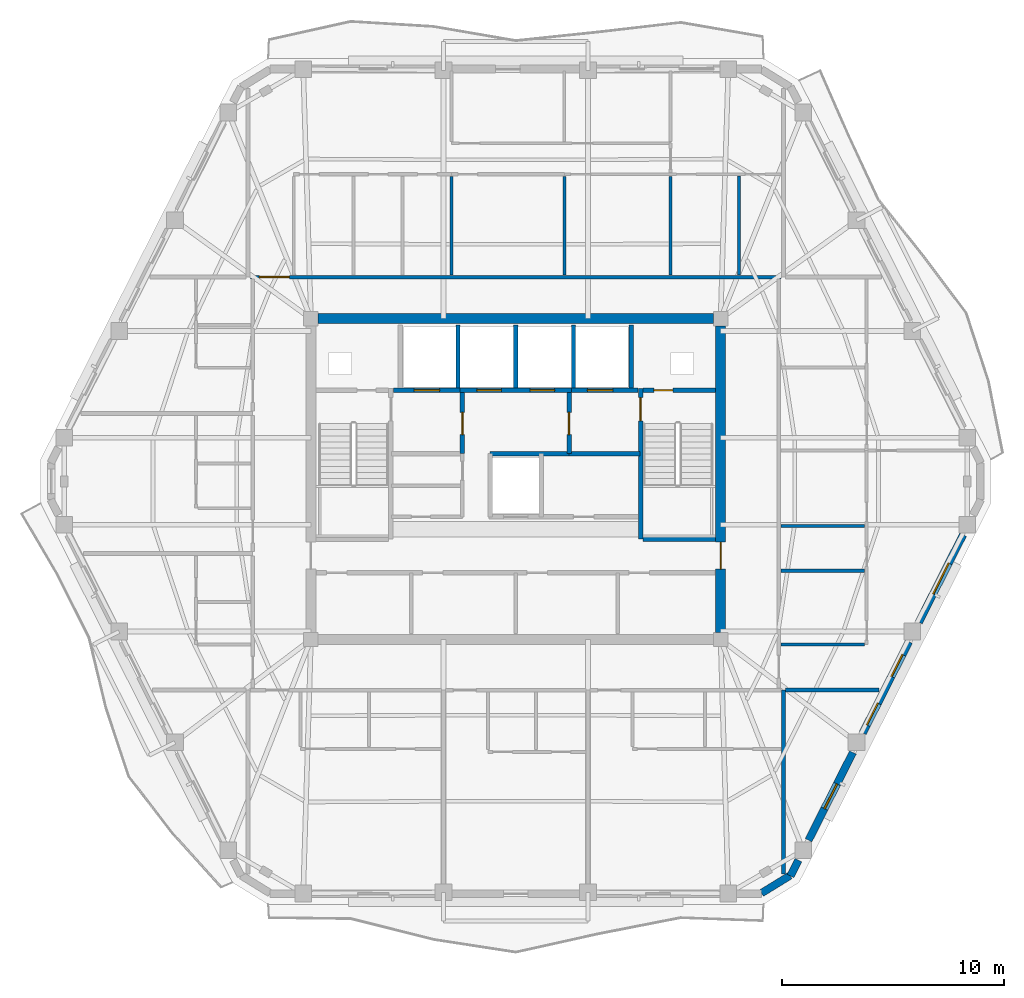
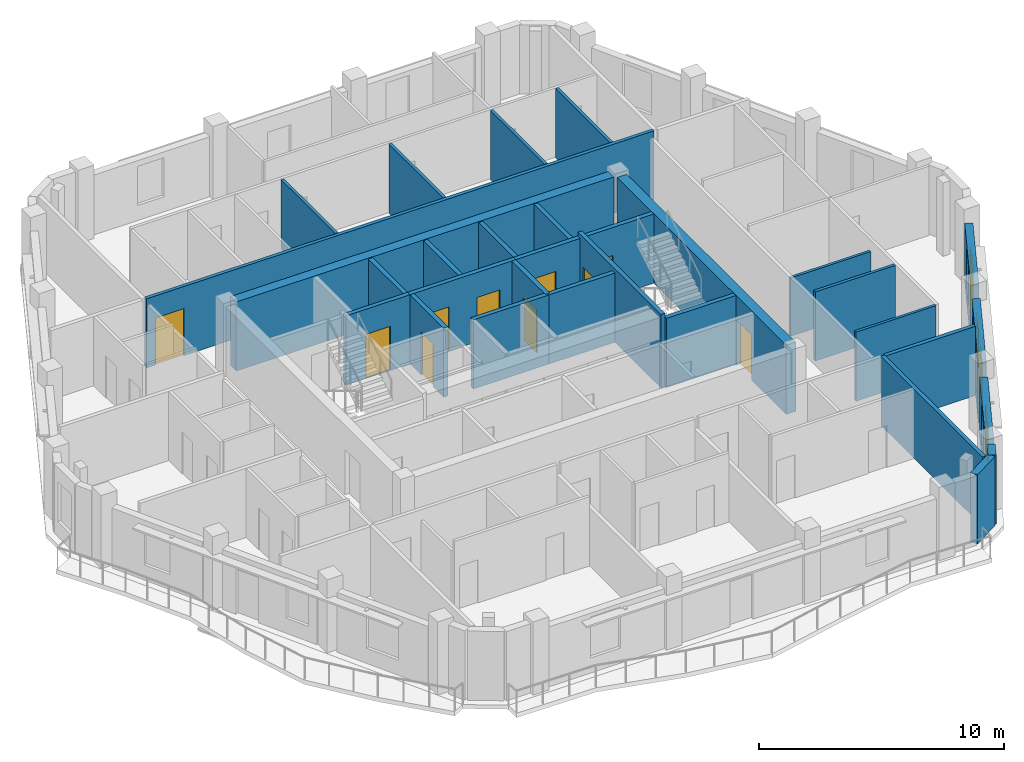
# One storey, part 6 of 11: 31 walls, 10 doors, 4 windows, 14 openings.
"""IFC4 building model written with IfcOpenShell, lengths in metres."""

import ifcopenshell
import ifcopenshell.guid

model = None  # the IFC model being written
_history = None  # IfcOwnerHistory: only IFC2X3 demands one
_inside = {}  # id of a spatial element -> (the spatial element, [elements in it])
_under = {}  # id of a project, library or spatial element -> (it, [spatial elements below it])
_declared = {}  # id of a project -> (the project, [libraries it declares])
_typed = {}  # id of a type object -> (the type object, [elements of that type])
_made_of = {}  # id of a material, layer set ... -> (it, [elements and type objects made of it])


def new_model(schema):
    """Start an empty IFC model of exactly this schema.

    Asked for "IFC4X3", IfcOpenShell would pick the latest addendum, in which some entities
    have other attributes; the version numbers below select the first issue.
    IFC2X3 requires an IfcOwnerHistory on every rooted entity: one is made here for all.
    """
    global model, _history
    if schema == "IFC4X3":
        model = ifcopenshell.file(schema_version=(4, 3, 0, 0))
    else:
        model = ifcopenshell.file(schema=schema)
    _inside.clear()
    _under.clear()
    _declared.clear()
    _typed.clear()
    _made_of.clear()
    _history = None
    if model.schema == "IFC2X3":
        org = make("IfcOrganization", Name="unknown")
        user = make(
            "IfcPersonAndOrganization",
            ThePerson=make("IfcPerson", FamilyName="unknown"),
            TheOrganization=org,
        )
        app = make(
            "IfcApplication",
            ApplicationDeveloper=org,
            Version="unknown",
            ApplicationFullName="unknown",
            ApplicationIdentifier="unknown",
        )
        _history = make(
            "IfcOwnerHistory",
            OwningUser=user,
            OwningApplication=app,
            ChangeAction="ADDED",
            CreationDate=0,
        )
    return model


def make(cls, **values):
    """One entity of the class cls with the attributes given. An attribute that is None is left unset."""
    return model.create_entity(
        cls, **{name: value for name, value in values.items() if value is not None}
    )


def rooted(cls, **values):
    """An entity with a GlobalId (a new one), such as an element, a storey or a relation."""
    return make(cls, GlobalId=ifcopenshell.guid.new(), OwnerHistory=_history, **values)


def si_unit(unit_type, name, prefix=None):
    """IfcSIUnit, for example si_unit("LENGTHUNIT", "METRE", prefix="MILLI")."""
    return make("IfcSIUnit", UnitType=unit_type, Prefix=prefix, Name=name)


def assignment(units):
    """IfcUnitAssignment: the units of a project."""
    return None if units is None else make("IfcUnitAssignment", Units=units)


def point(xyz):
    """IfcCartesianPoint."""
    return None if xyz is None else make("IfcCartesianPoint", Coordinates=xyz)


def direction(xyz):
    """IfcDirection."""
    return None if xyz is None else make("IfcDirection", DirectionRatios=xyz)


def frame(location, z_axis=None, x_axis=None):
    """IfcAxis2Placement3D, a coordinate frame: its origin and axes. An axis left out is left unset."""
    return make(
        "IfcAxis2Placement3D",
        Location=point(location),
        Axis=direction(z_axis),
        RefDirection=direction(x_axis),
    )


def frame_2d(location, x_axis=None):
    """IfcAxis2Placement2D, a coordinate frame in the plane: its origin and x axis."""
    return make(
        "IfcAxis2Placement2D", Location=point(location), RefDirection=direction(x_axis)
    )


def origin():
    """The frame at (0, 0, 0) with its axes left unset."""
    return frame((0.0, 0.0, 0.0))


def place(relative_to, where):
    """IfcLocalPlacement: puts the frame where relative to a parent placement (None: the world)."""
    return make(
        "IfcLocalPlacement", PlacementRelTo=relative_to, RelativePlacement=where
    )


def context(
    kind, dimensions, precision=None, world=None, true_north=None, identifier=None
):
    """IfcGeometricRepresentationContext, for example the 3D "Model" context."""
    return make(
        "IfcGeometricRepresentationContext",
        ContextIdentifier=identifier,
        ContextType=kind,
        CoordinateSpaceDimension=dimensions,
        Precision=precision,
        WorldCoordinateSystem=world,
        TrueNorth=true_north,
    )


def subcontext(parent, identifier, kind, view, scale=None):
    """IfcGeometricRepresentationSubContext, for example "Body" below "Model"."""
    return make(
        "IfcGeometricRepresentationSubContext",
        ContextIdentifier=identifier,
        ContextType=kind,
        ParentContext=parent,
        TargetScale=scale,
        TargetView=view,
    )


def project(units=None, contexts=None):
    """IfcProject with its units and contexts."""
    return rooted(
        "IfcProject",
        Name="project",
        RepresentationContexts=contexts,
        UnitsInContext=assignment(units),
    )


def spatial(cls, under=None, at=None, **own):
    """A site, building, storey or space (cls), placed at a placement, below another one or the project."""
    s = rooted(cls, ObjectPlacement=at, **own)
    if under is not None:
        _under.setdefault(under.id(), (under, []))[1].append(s)
    return s


def profile(cls, at=None, kind="AREA", **sizes):
    """A parametric profile (cls). Its sizes go by their IFC names, for example OverallWidth=200.0."""
    return make(cls, ProfileType=kind, Position=at, **sizes)


def rectangle(**sizes):
    """IfcRectangleProfileDef."""
    return profile("IfcRectangleProfileDef", **sizes)


def extrude(swept, where, along, depth):
    """IfcExtrudedAreaSolid: the profile swept, set in the frame where, extruded along a direction by depth."""
    return make(
        "IfcExtrudedAreaSolid",
        SweptArea=swept,
        Position=where,
        ExtrudedDirection=direction(along),
        Depth=depth,
    )


def shape(context_of_items, identifier, shape_type, items):
    """IfcShapeRepresentation: the items that make up one representation, for example the "Body"."""
    return make(
        "IfcShapeRepresentation",
        ContextOfItems=context_of_items,
        RepresentationIdentifier=identifier,
        RepresentationType=shape_type,
        Items=items,
    )


def material(Name=None, Category=None):
    """IfcMaterial."""
    return make("IfcMaterial", Name=Name, Category=Category)


def layer(
    of_material, thickness, ventilated=None, Name=None, Category=None, Priority=None
):
    """IfcMaterialLayer: one layer of a wall or slab, of a material (None: an air gap)."""
    return make(
        "IfcMaterialLayer",
        Material=of_material,
        LayerThickness=thickness,
        IsVentilated=ventilated,
        Name=Name,
        Category=Category,
        Priority=Priority,
    )


def layer_set(layers, Name=None):
    """IfcMaterialLayerSet."""
    return make("IfcMaterialLayerSet", MaterialLayers=layers, LayerSetName=Name)


def made_of(thing, what):
    """Note that an element or type object is made of a material, layer set ...; save() writes the relation."""
    if what is not None:
        _made_of.setdefault(what.id(), (what, []))[1].append(thing)
    return thing


def type_object(cls, material=None, **own):
    """A type object (cls), such as IfcWallType, which elements share."""
    return made_of(rooted(cls, **own), material)


def element(
    cls,
    number,
    at=None,
    inside=None,
    cuts=None,
    type_object=None,
    material=None,
    context=None,
    identifier="Body",
    shape_type=None,
    held_by="IfcProductDefinitionShape",
    body=None,
    shapes=None,
    **own,
):
    """One element of the class cls, such as IfcWall. Its Tag is "e" and its number.

    at: its placement. inside: the storey or other place that contains it. cuts: it is an
    opening in that element (IfcRelVoidsElement). A single representation is given by context,
    identifier, shape_type and body (its items); several are given by shapes. held_by: the class
    of the entity that holds the representations. save() writes the other relations.
    """
    e = rooted(cls, Tag="e%d" % number, ObjectPlacement=at, **own)
    if body is not None:
        shapes = [shape(context, identifier, shape_type, body)]
    if shapes is not None:
        e.Representation = make(held_by, Representations=shapes)
    if inside is not None:
        _inside.setdefault(inside.id(), (inside, []))[1].append(e)
    if cuts is not None:
        rooted(
            "IfcRelVoidsElement", RelatingBuildingElement=cuts, RelatedOpeningElement=e
        )
    if type_object is not None:
        _typed.setdefault(type_object.id(), (type_object, []))[1].append(e)
    return made_of(e, material)


def fill(opening, filler):
    """IfcRelFillsElement: the door or window that sits in an opening."""
    return rooted(
        "IfcRelFillsElement",
        RelatingOpeningElement=opening,
        RelatedBuildingElement=filler,
    )


def aggregate(whole, parts):
    """IfcRelAggregates: a whole, such as a stair, and the parts it consists of."""
    return rooted("IfcRelAggregates", RelatingObject=whole, RelatedObjects=parts)


def save(model, path):
    """Write the relations noted so far, then the file.

    IfcRelAggregates (storeys below a building ...), IfcRelContainedInSpatialStructure (elements
    in a storey), IfcRelDefinesByType, IfcRelAssociatesMaterial and IfcRelDeclares: one each for
    every whole, place, type object, material and project.
    """
    for whole, parts in _under.values():
        aggregate(whole, parts)
    for where, things in _inside.values():
        rooted(
            "IfcRelContainedInSpatialStructure",
            RelatedElements=things,
            RelatingStructure=where,
        )
    for kind, things in _typed.values():
        rooted("IfcRelDefinesByType", RelatedObjects=things, RelatingType=kind)
    for what, things in _made_of.values():
        rooted("IfcRelAssociatesMaterial", RelatedObjects=things, RelatingMaterial=what)
    for by, libraries in _declared.values():
        rooted("IfcRelDeclares", RelatingContext=by, RelatedDefinitions=libraries)
    model.write(path)


model = new_model("IFC4")

# Units and contexts
model_context = context("Model", 3, precision=1e-05, world=origin(), true_north=direction((0.0, 1.0)))
body_context = subcontext(model_context, "Body", "Model", "MODEL_VIEW")
ifc_project = project(units=[si_unit("LENGTHUNIT", "METRE"), si_unit("AREAUNIT", "SQUARE_METRE"), si_unit("VOLUMEUNIT", "CUBIC_METRE"), si_unit("PLANEANGLEUNIT", "RADIAN"), si_unit("MASSUNIT", "GRAM", prefix="KILO")], contexts=[model_context])

# Site, building, storey
site_placement = place(None, origin())
site = spatial("IfcSite", under=ifc_project, at=site_placement, CompositionType="ELEMENT")
building_placement = place(site_placement, origin())
building = spatial("IfcBuilding", under=site, at=building_placement, Name="Cinnabar Lancet Tower", CompositionType="ELEMENT")
storey_placement = place(building_placement, frame((0.0, 0.0, 245.25)))
storey = spatial("IfcBuildingStorey", under=building, at=storey_placement, Name="L65", CompositionType="ELEMENT", Elevation=245.25)

# Wall, opening, door
ifc_material_1 = material(Name="Acoustic twin-stud gypsum partition", Category="gypsum")
ifc_layer_1 = layer(ifc_material_1, 0.159912109375)
ifc_layer_set_1 = layer_set([ifc_layer_1], Name="Acoustic twin-stud gypsum partition")
wall_type_1 = type_object("IfcWallType", Name="ARC-WL-CORR-160", PredefinedType="PARTITIONING", material=ifc_layer_set_1)
wall_1_placement = place(storey_placement, frame((20.445068359375, 35.0, 0.0), z_axis=(0.0, 0.0, 1.0), x_axis=(1.0, 0.0, 0.0)))
wall_1 = element("IfcWall", 1, at=wall_1_placement, inside=storey, type_object=wall_type_1, Name="L65 Unit N01 Corridor Wall", PredefinedType="PARTITIONING", context=body_context, shape_type="SweptSolid", body=[
    extrude(rectangle(XDim=23.909912109375, YDim=0.159912109375, at=frame_2d((11.955078125, 0.0))), origin(), (0.0, 0.0, 1.0), 3.449951171875),
])
opening_1_placement = place(wall_1_placement, frame((0.405029296875, 0.0, 0.0)))
opening_1 = element("IfcOpeningElement", 2, at=opening_1_placement, cuts=wall_1, Name="Opening UD-02", PredefinedType="OPENING", context=body_context, shape_type="SweptSolid", body=[
    extrude(rectangle(XDim=1.35009765625, YDim=2.35009765625, at=frame_2d((0.675048828125, 1.175048828125))), frame((0.0, 0.08984375, 0.0), z_axis=(0.0, -1.0, 0.0), x_axis=(1.0, 0.0, 0.0)), (0.0, 0.0, 1.0), 0.179931640625),
])
ifc_material_2 = material(Name="Double-leaf solid timber penthouse entrance door", Category="wood")
door_type_1 = type_object("IfcDoorType", Name="ARC-DR-UNIT-PH", OperationType="NOTDEFINED", PredefinedType="DOOR", material=ifc_material_2)
door_1_placement = place(opening_1_placement, origin())
door_1 = element("IfcDoor", 3, at=door_1_placement, inside=storey, type_object=door_type_1, Name="DR-L65-N01-ENT", OperationType="SINGLE_SWING_LEFT", OverallHeight=2.35009765625, OverallWidth=1.35009765625, PredefinedType="DOOR", context=body_context, shape_type="SweptSolid", body=[
    extrude(rectangle(XDim=1.35009765625, YDim=2.35009765625, at=frame_2d((0.675048828125, 1.175048828125))), frame((0.0, 0.02490234375, 0.0), z_axis=(0.0, -1.0, 0.0), x_axis=(1.0, 0.0, 0.0)), (0.0, 0.0, 1.0), 0.050048828125),
])
fill(opening_1, door_1)

# Walls
ifc_material_3 = material(Name="Fire-rated twin-frame acoustic drywall", Category="gypsum")
ifc_layer_2 = layer(ifc_material_3, 0.179931640625)
ifc_layer_set_2 = layer_set([ifc_layer_2], Name="Fire-rated twin-frame acoustic drywall")
wall_type_2 = type_object("IfcWallType", Name="ARC-WL-PARTY-180", PredefinedType="PARTITIONING", material=ifc_layer_set_2)
wall_2_placement = place(storey_placement, frame((44.449951171875, 8.118896484375, 0.0), z_axis=(0.0, 0.0, 1.0), x_axis=(0.0, 1.0, 0.0)))
element("IfcWall", 4, at=wall_2_placement, inside=storey, type_object=wall_type_2, Name="PW-L65-SPTY-444", PredefinedType="PARTITIONING", context=body_context, shape_type="SweptSolid", body=[
    extrude(rectangle(XDim=8.281005859375, YDim=0.179931640625, at=frame_2d((4.140625, 0.0))), origin(), (0.0, 0.0, 1.0), 3.449951171875),
])
wall_3_placement = place(storey_placement, frame((44.544921875, 16.39990234375, 0.0), z_axis=(0.0, 0.0, 1.0), x_axis=(1.0, 0.0, 0.0)))
element("IfcWall", 5, at=wall_3_placement, inside=storey, type_object=wall_type_2, Name="PW-L65-ESB", PredefinedType="PARTITIONING", context=body_context, shape_type="SweptSolid", body=[
    extrude(rectangle(XDim=4.22119140625, YDim=0.179931640625, at=frame_2d((2.110595703125, 0.0))), origin(), (0.0, 0.0, 1.0), 3.449951171875),
])
ifc_material_4 = material(Name="Autoclaved aerated concrete blockwork", Category="masonry")
ifc_layer_3 = layer(ifc_material_4, 0.199951171875)
ifc_layer_set_3 = layer_set([ifc_layer_3], Name="Autoclaved aerated concrete blockwork")
wall_type_3 = type_object("IfcWallType", Name="ARC-WL-SHAFT-200", PredefinedType="PLUMBINGWALL", material=ifc_layer_set_3)
wall_4_placement = place(storey_placement, frame((38.125, 23.199951171875, 0.0), z_axis=(0.0, 0.0, 1.0), x_axis=(1.0, 0.0, 0.0)))
element("IfcWall", 6, at=wall_4_placement, inside=storey, type_object=wall_type_3, Name="CW-ST2S-L65", PredefinedType="PLUMBINGWALL", context=body_context, shape_type="SweptSolid", body=[
    extrude(rectangle(XDim=3.27001953125, YDim=0.199951171875, at=frame_2d((1.635009765625, 0.0))), origin(), (0.0, 0.0, 1.0), 3.449951171875),
])

# Wall, opening, door
wall_5_placement = place(storey_placement, frame((26.885009765625, 29.89990234375, 0.0), z_axis=(0.0, 0.0, 1.0), x_axis=(1.0, 0.0, 0.0)))
wall_5 = element("IfcWall", 7, at=wall_5_placement, inside=storey, type_object=wall_type_3, Name="CW-FL1-L65", PredefinedType="PLUMBINGWALL", context=body_context, shape_type="SweptSolid", body=[
    extrude(rectangle(XDim=3.014892578125, YDim=0.199951171875, at=frame_2d((1.50732421875, 0.0))), origin(), (0.0, 0.0, 1.0), 3.449951171875),
])
opening_2_placement = place(wall_5_placement, frame((0.93994140625, 0.0, 0.0)))
opening_2 = element("IfcOpeningElement", 8, at=opening_2_placement, cuts=wall_5, Name="Opening LD-02", PredefinedType="OPENING", context=body_context, shape_type="SweptSolid", body=[
    extrude(rectangle(XDim=1.14990234375, YDim=2.199951171875, at=frame_2d((0.574951171875, 1.10009765625))), frame((0.0, 0.10986328125, 0.0), z_axis=(0.0, -1.0, 0.0), x_axis=(1.0, 0.0, 0.0)), (0.0, 0.0, 1.0), 0.219970703125),
])
ifc_material_5 = material(Name="Fire-rated stainless steel firefighting lift landing door", Category="steel")
door_type_2 = type_object("IfcDoorType", Name="ARC-DR-LD-FIRE", OperationType="NOTDEFINED", PredefinedType="DOOR", material=ifc_material_5)
door_2_placement = place(opening_2_placement, origin())
door_2 = element("IfcDoor", 9, at=door_2_placement, inside=storey, type_object=door_type_2, Name="L65 Firefighting Lift FL-1 Landing Door", OperationType="DOUBLE_DOOR_SLIDING", OverallHeight=2.199951171875, OverallWidth=1.14990234375, PredefinedType="DOOR", context=body_context, shape_type="SweptSolid", body=[
    extrude(rectangle(XDim=1.14990234375, YDim=2.199951171875, at=frame_2d((0.574951171875, 1.10009765625))), frame((0.0, 0.02490234375, 0.0), z_axis=(0.0, -1.0, 0.0), x_axis=(1.0, 0.0, 0.0)), (0.0, 0.0, 1.0), 0.050048828125),
])
fill(opening_2, door_2)

# Wall, openings, doors
wall_6_placement = place(storey_placement, frame((29.89990234375, 29.89990234375, 0.0), z_axis=(0.0, 0.0, 1.0), x_axis=(1.0, 0.0, 0.0)))
wall_6 = element("IfcWall", 10, at=wall_6_placement, inside=storey, type_object=wall_type_3, Name="CW-PL78-L65", PredefinedType="PLUMBINGWALL", context=body_context, shape_type="SweptSolid", body=[
    extrude(rectangle(XDim=5.0, YDim=0.199951171875, at=frame_2d((2.5, 0.0))), origin(), (0.0, 0.0, 1.0), 3.449951171875),
])
opening_3_placement = place(wall_6_placement, frame((0.75, 0.0, 0.0)))
opening_3 = element("IfcOpeningElement", 11, at=opening_3_placement, cuts=wall_6, Name="Opening LD-01", PredefinedType="OPENING", context=body_context, shape_type="SweptSolid", body=[
    extrude(rectangle(XDim=1.10009765625, YDim=2.199951171875, at=frame_2d((0.550048828125, 1.10009765625))), frame((0.0, 0.10986328125, 0.0), z_axis=(0.0, -1.0, 0.0), x_axis=(1.0, 0.0, 0.0)), (0.0, 0.0, 1.0), 0.219970703125),
])
opening_4_placement = place(wall_6_placement, frame((3.14990234375, 0.0, 0.0)))
opening_4 = element("IfcOpeningElement", 12, at=opening_4_placement, cuts=wall_6, Name="Opening LD-01", PredefinedType="OPENING", context=body_context, shape_type="SweptSolid", body=[
    extrude(rectangle(XDim=1.10009765625, YDim=2.199951171875, at=frame_2d((0.550048828125, 1.10009765625))), frame((0.0, 0.10986328125, 0.0), z_axis=(0.0, -1.0, 0.0), x_axis=(1.0, 0.0, 0.0)), (0.0, 0.0, 1.0), 0.219970703125),
])
ifc_material_6 = material(Name="Brushed stainless steel sliding lift door", Category="steel")
door_type_3 = type_object("IfcDoorType", Name="ARC-DR-LD-PASS", OperationType="NOTDEFINED", PredefinedType="DOOR", material=ifc_material_6)
door_3_placement = place(opening_3_placement, origin())
door_3 = element("IfcDoor", 13, at=door_3_placement, inside=storey, type_object=door_type_3, Name="L65 Lift PL-7 Landing Door", OperationType="DOUBLE_DOOR_SLIDING", OverallHeight=2.199951171875, OverallWidth=1.10009765625, PredefinedType="DOOR", context=body_context, shape_type="SweptSolid", body=[
    extrude(rectangle(XDim=1.10009765625, YDim=2.199951171875, at=frame_2d((0.550048828125, 1.10009765625))), frame((0.0, 0.02490234375, 0.0), z_axis=(0.0, -1.0, 0.0), x_axis=(1.0, 0.0, 0.0)), (0.0, 0.0, 1.0), 0.050048828125),
])
fill(opening_3, door_3)
door_4_placement = place(opening_4_placement, origin())
door_4 = element("IfcDoor", 14, at=door_4_placement, inside=storey, type_object=door_type_3, Name="L65 Lift PL-8 Landing Door", OperationType="DOUBLE_DOOR_SLIDING", OverallHeight=2.199951171875, OverallWidth=1.10009765625, PredefinedType="DOOR", context=body_context, shape_type="SweptSolid", body=[
    extrude(rectangle(XDim=1.10009765625, YDim=2.199951171875, at=frame_2d((0.550048828125, 1.10009765625))), frame((0.0, 0.02490234375, 0.0), z_axis=(0.0, -1.0, 0.0), x_axis=(1.0, 0.0, 0.0)), (0.0, 0.0, 1.0), 0.050048828125),
])
fill(opening_4, door_4)

# Wall, opening, door
wall_7_placement = place(storey_placement, frame((34.89990234375, 29.89990234375, 0.0), z_axis=(0.0, 0.0, 1.0), x_axis=(1.0, 0.0, 0.0)))
wall_7 = element("IfcWall", 15, at=wall_7_placement, inside=storey, type_object=wall_type_3, Name="CW-FL2-L65", PredefinedType="PLUMBINGWALL", context=body_context, shape_type="SweptSolid", body=[
    extrude(rectangle(XDim=3.01513671875, YDim=0.199951171875, at=frame_2d((1.507568359375, 0.0))), origin(), (0.0, 0.0, 1.0), 3.449951171875),
])
opening_5_placement = place(wall_7_placement, frame((0.72509765625, 0.0, 0.0)))
opening_5 = element("IfcOpeningElement", 16, at=opening_5_placement, cuts=wall_7, Name="Opening LD-02", PredefinedType="OPENING", context=body_context, shape_type="SweptSolid", body=[
    extrude(rectangle(XDim=1.14990234375, YDim=2.199951171875, at=frame_2d((0.574951171875, 1.10009765625))), frame((0.0, 0.10986328125, 0.0), z_axis=(0.0, -1.0, 0.0), x_axis=(1.0, 0.0, 0.0)), (0.0, 0.0, 1.0), 0.219970703125),
])
door_5_placement = place(opening_5_placement, origin())
door_5 = element("IfcDoor", 17, at=door_5_placement, inside=storey, type_object=door_type_2, Name="L65 Firefighting Lift FL-2 Landing Door", OperationType="DOUBLE_DOOR_SLIDING", OverallHeight=2.199951171875, OverallWidth=1.14990234375, PredefinedType="DOOR", context=body_context, shape_type="SweptSolid", body=[
    extrude(rectangle(XDim=1.14990234375, YDim=2.199951171875, at=frame_2d((0.574951171875, 1.10009765625))), frame((0.0, 0.02490234375, 0.0), z_axis=(0.0, -1.0, 0.0), x_axis=(1.0, 0.0, 0.0)), (0.0, 0.0, 1.0), 0.050048828125),
])
fill(opening_5, door_5)

wall_8_placement = place(storey_placement, frame((38.125, 29.89990234375, 0.0), z_axis=(0.0, 0.0, 1.0), x_axis=(1.0, 0.0, 0.0)))
wall_8 = element("IfcWall", 18, at=wall_8_placement, inside=storey, type_object=wall_type_3, Name="CW-NSH-E-L65", PredefinedType="PLUMBINGWALL", context=body_context, shape_type="SweptSolid", body=[
    extrude(rectangle(XDim=3.27001953125, YDim=0.199951171875, at=frame_2d((1.635009765625, 0.0))), origin(), (0.0, 0.0, 1.0), 3.449951171875),
])
opening_6_placement = place(wall_8_placement, frame((0.5, 0.0, 0.0)))
opening_6 = element("IfcOpeningElement", 19, at=opening_6_placement, cuts=wall_8, Name="Opening PD-02", PredefinedType="OPENING", context=body_context, shape_type="SweptSolid", body=[
    extrude(rectangle(XDim=0.85009765625, YDim=2.050048828125, at=frame_2d((0.425048828125, 1.02490234375))), frame((0.0, 0.10986328125, 0.0), z_axis=(0.0, -1.0, 0.0), x_axis=(1.0, 0.0, 0.0)), (0.0, 0.0, 1.0), 0.219970703125),
])
ifc_material_7 = material(Name="Fire-rated steel riser access door", Category="steel")
door_type_4 = type_object("IfcDoorType", Name="ARC-DR-RISER", OperationType="NOTDEFINED", PredefinedType="DOOR", material=ifc_material_7)
door_6_placement = place(opening_6_placement, origin())
door_6 = element("IfcDoor", 20, at=door_6_placement, inside=storey, type_object=door_type_4, Name="L65 East Riser Access Door", OperationType="SINGLE_SWING_RIGHT", OverallHeight=2.050048828125, OverallWidth=0.85009765625, PredefinedType="DOOR", context=body_context, shape_type="SweptSolid", body=[
    extrude(rectangle(XDim=0.85009765625, YDim=2.050048828125, at=frame_2d((0.425048828125, 1.02490234375))), frame((0.0, 0.02490234375, 0.0), z_axis=(0.0, -1.0, 0.0), x_axis=(1.0, 0.0, 0.0)), (0.0, 0.0, 1.0), 0.050048828125),
])
fill(opening_6, door_6)

# Walls
for number, where, z_axis, x_axis, name in (
    (21, (29.800048828125, 30.0, 0.0), (0.0, 0.0, 1.0), (0.0, 1.0, 0.0), "CW-NSH-D2-L65"),
    (22, (32.39990234375, 30.0, 0.0), (0.0, 0.0, 1.0), (0.0, 1.0, 0.0), "CW-NSH-D3-L65"),
    (23, (35.0, 30.0, 0.0), (0.0, 0.0, 1.0), (0.0, 1.0, 0.0), "CW-NSH-D4-L65"),
    (24, (37.60009765625, 30.0, 0.0), (0.0, 0.0, 1.0), (0.0, 1.0, 0.0), "CW-NSH-D5-L65"),
):
    element("IfcWall", number, at=place(storey_placement, frame(where, z_axis=z_axis, x_axis=x_axis)), inside=storey, type_object=wall_type_3, Name=name, PredefinedType="PLUMBINGWALL", context=body_context, shape_type="SweptSolid", body=[
        extrude(rectangle(XDim=2.85009765625, YDim=0.199951171875, at=frame_2d((1.425048828125, 0.0))), origin(), (0.0, 0.0, 1.0), 3.449951171875),
    ])

# Wall, opening, door
wall_9_placement = place(storey_placement, frame((30.0, 27.050048828125, 0.0), z_axis=(0.0, 0.0, 1.0), x_axis=(0.0, 1.0, 0.0)))
wall_9 = element("IfcWall", 25, at=wall_9_placement, inside=storey, type_object=wall_type_3, Name="CW-FF1E-L65", PredefinedType="PLUMBINGWALL", context=body_context, shape_type="SweptSolid", body=[
    extrude(rectangle(XDim=2.75, YDim=0.199951171875, at=frame_2d((1.375, 0.0))), origin(), (0.0, 0.0, 1.0), 3.449951171875),
])
opening_7_placement = place(wall_9_placement, frame((0.85009765625, 0.0, 0.0)))
opening_7 = element("IfcOpeningElement", 26, at=opening_7_placement, cuts=wall_9, Name="Opening FD-01", PredefinedType="OPENING", context=body_context, shape_type="SweptSolid", body=[
    extrude(rectangle(XDim=1.0, YDim=2.14990234375, at=frame_2d((0.5, 1.074951171875))), frame((0.0, 0.10986328125, 0.0), z_axis=(0.0, -1.0, 0.0), x_axis=(1.0, 0.0, 0.0)), (0.0, 0.0, 1.0), 0.219970703125),
])
ifc_material_8 = material(Name="Fire-rated timber-core lobby door", Category="wood")
door_type_5 = type_object("IfcDoorType", Name="ARC-DR-FFAL", OperationType="NOTDEFINED", PredefinedType="DOOR", material=ifc_material_8)
door_7_placement = place(opening_7_placement, origin())
door_7 = element("IfcDoor", 27, at=door_7_placement, inside=storey, type_object=door_type_5, Name="L65 FFAL-1 Lobby Fire Door", OperationType="SINGLE_SWING_RIGHT", OverallHeight=2.14990234375, OverallWidth=1.0, PredefinedType="DOOR", context=body_context, shape_type="SweptSolid", body=[
    extrude(rectangle(XDim=1.0, YDim=2.14990234375, at=frame_2d((0.5, 1.074951171875))), frame((0.0, 0.02490234375, 0.0), z_axis=(0.0, -1.0, 0.0), x_axis=(1.0, 0.0, 0.0)), (0.0, 0.0, 1.0), 0.050048828125),
])
fill(opening_7, door_7)

wall_10_placement = place(storey_placement, frame((34.800048828125, 27.050048828125, 0.0), z_axis=(0.0, 0.0, 1.0), x_axis=(0.0, 1.0, 0.0)))
wall_10 = element("IfcWall", 28, at=wall_10_placement, inside=storey, type_object=wall_type_3, Name="CW-FF2W-L65", PredefinedType="PLUMBINGWALL", context=body_context, shape_type="SweptSolid", body=[
    extrude(rectangle(XDim=2.75, YDim=0.199951171875, at=frame_2d((1.375, 0.0))), origin(), (0.0, 0.0, 1.0), 3.449951171875),
])
opening_8_placement = place(wall_10_placement, frame((0.85009765625, 0.0, 0.0)))
opening_8 = element("IfcOpeningElement", 29, at=opening_8_placement, cuts=wall_10, Name="Opening FD-01", PredefinedType="OPENING", context=body_context, shape_type="SweptSolid", body=[
    extrude(rectangle(XDim=1.0, YDim=2.14990234375, at=frame_2d((0.5, 1.074951171875))), frame((0.0, 0.10986328125, 0.0), z_axis=(0.0, -1.0, 0.0), x_axis=(1.0, 0.0, 0.0)), (0.0, 0.0, 1.0), 0.219970703125),
])
door_8_placement = place(opening_8_placement, origin())
door_8 = element("IfcDoor", 30, at=door_8_placement, inside=storey, type_object=door_type_5, Name="L65 FFAL-2 Lobby Fire Door", OperationType="SINGLE_SWING_LEFT", OverallHeight=2.14990234375, OverallWidth=1.0, PredefinedType="DOOR", context=body_context, shape_type="SweptSolid", body=[
    extrude(rectangle(XDim=1.0, YDim=2.14990234375, at=frame_2d((0.5, 1.074951171875))), frame((0.0, 0.02490234375, 0.0), z_axis=(0.0, -1.0, 0.0), x_axis=(1.0, 0.0, 0.0)), (0.0, 0.0, 1.0), 0.050048828125),
])
fill(opening_8, door_8)

# Walls
wall_11_placement = place(storey_placement, frame((34.800048828125, 27.050048828125, 0.0), z_axis=(0.0, 0.0, 1.0), x_axis=(1.0, 0.0, 0.0)))
element("IfcWall", 31, at=wall_11_placement, inside=storey, type_object=wall_type_3, Name="CW-FF2S-L65", PredefinedType="PLUMBINGWALL", context=body_context, shape_type="SweptSolid", body=[
    extrude(rectangle(XDim=3.199951171875, YDim=0.199951171875, at=frame_2d((1.60009765625, 0.0))), origin(), (0.0, 0.0, 1.0), 3.449951171875),
])
wall_12_placement = place(storey_placement, frame((31.25, 27.050048828125, 0.0), z_axis=(0.0, 0.0, 1.0), x_axis=(1.0, 0.0, 0.0)))
element("IfcWall", 32, at=wall_12_placement, inside=storey, type_object=wall_type_3, Name="CW-PL96N-L65", PredefinedType="PLUMBINGWALL", context=body_context, shape_type="SweptSolid", body=[
    extrude(rectangle(XDim=3.550048828125, YDim=0.199951171875, at=frame_2d((1.77490234375, 0.0))), origin(), (0.0, 0.0, 1.0), 3.449951171875),
])
ifc_material_9 = material(Name="Gypsum plasterboard stud partition", Category="gypsum")
ifc_layer_4 = layer(ifc_material_9, 0.125)
ifc_layer_set_4 = layer_set([ifc_layer_4], Name="Gypsum plasterboard stud partition")
wall_type_4 = type_object("IfcWallType", Name="ARC-WL-UNIT-125", PredefinedType="PARTITIONING", material=ifc_layer_set_4)
wall_13_placement = place(storey_placement, frame((44.3349609375, 18.449951171875, 0.0), z_axis=(0.0, 0.0, 1.0), x_axis=(1.0, 0.0, 0.0)))
element("IfcWall", 33, at=wall_13_placement, inside=storey, type_object=wall_type_4, Name="UW-L65-E01-FOYN", PredefinedType="PARTITIONING", context=body_context, shape_type="SweptSolid", body=[
    extrude(rectangle(XDim=3.780029296875, YDim=0.125, at=frame_2d((1.89013671875, 0.0))), origin(), (0.0, 0.0, 1.0), 3.449951171875),
])
wall_14_placement = place(storey_placement, frame((44.3349609375, 23.7880859375, 0.0), z_axis=(0.0, 0.0, 1.0), x_axis=(1.0, 0.0, 0.0)))
element("IfcWall", 34, at=wall_14_placement, inside=storey, type_object=wall_type_4, Name="UW-L65-E01-UDV", PredefinedType="PARTITIONING", context=body_context, shape_type="SweptSolid", body=[
    extrude(rectangle(XDim=3.780029296875, YDim=0.125, at=frame_2d((1.89013671875, 0.0))), origin(), (0.0, 0.0, 1.0), 2.906982421875),
])
ifc_material_10 = material(Name="Moisture-resistant cement-board plumbing wall", Category="masonry")
ifc_layer_5 = layer(ifc_material_10, 0.139892578125)
ifc_layer_set_5 = layer_set([ifc_layer_5], Name="Moisture-resistant cement-board plumbing wall")
wall_type_5 = type_object("IfcWallType", Name="ARC-WL-WET-140", PredefinedType="PLUMBINGWALL", material=ifc_layer_set_5)
for number, where, z_axis, x_axis, name in (
    (35, (29.508056640625, 35.0849609375, 0.0), (0.0, 0.0, 1.0), (0.0, 1.0, 0.0), "UW-L65-N01-ENSW"),
    (36, (34.587890625, 35.0849609375, 0.0), (0.0, 0.0, 1.0), (0.0, 1.0, 0.0), "UW-L65-N01-ENSE"),
    (37, (39.3701171875, 35.0849609375, 0.0), (0.0, 0.0, 1.0), (0.0, 1.0, 0.0), "UW-L65-N01-UT3"),
):
    element("IfcWall", number, at=place(storey_placement, frame(where, z_axis=z_axis, x_axis=x_axis)), inside=storey, type_object=wall_type_5, Name=name, PredefinedType="PLUMBINGWALL", context=body_context, shape_type="SweptSolid", body=[
        extrude(rectangle(XDim=4.43896484375, YDim=0.139892578125, at=frame_2d((2.219482421875, 0.0))), origin(), (0.0, 0.0, 1.0), 3.449951171875),
    ])
wall_15_placement = place(storey_placement, frame((42.4580078125, 35.0849609375, 0.0), z_axis=(0.0, 0.0, 1.0), x_axis=(0.0, 1.0, 0.0)))
element("IfcWall", 38, at=wall_15_placement, inside=storey, type_object=wall_type_5, Name="UW-L65-N01-ENS-WDV", PredefinedType="PLUMBINGWALL", context=body_context, shape_type="SweptSolid", body=[
    extrude(rectangle(XDim=4.458984375, YDim=0.139892578125, at=frame_2d((2.2294921875, 0.0))), origin(), (0.0, 0.0, 1.0), 3.449951171875),
])
wall_16_placement = place(storey_placement, frame((44.3349609375, 21.77001953125, 0.0), z_axis=(0.0, 0.0, 1.0), x_axis=(1.0, 0.0, 0.0)))
element("IfcWall", 39, at=wall_16_placement, inside=storey, type_object=wall_type_5, Name="UW-L65-E01-KDV", PredefinedType="PLUMBINGWALL", context=body_context, shape_type="SweptSolid", body=[
    extrude(rectangle(XDim=3.780029296875, YDim=0.139892578125, at=frame_2d((1.89013671875, 0.0))), origin(), (0.0, 0.0, 1.0), 3.449951171875),
])
ifc_material_11 = material(Name="Cinnabar red clay brick", Category="masonry")
ifc_layer_6 = layer(ifc_material_11, 0.340087890625)
ifc_layer_set_6 = layer_set([ifc_layer_6], Name="Cinnabar red clay brick")
wall_type_6 = type_object("IfcWallType", Name="ENV-WL-BRK-RED-340", PredefinedType="STANDARD", material=ifc_layer_set_6)
wall_17_placement = place(storey_placement, frame((43.468994140625, 7.2548828125, 0.0), z_axis=(0.0, 0.0, 1.0), x_axis=(0.851680557619, 0.52406128246, 0.0)))
element("IfcWall", 40, at=wall_17_placement, inside=storey, type_object=wall_type_6, Name="L65 Chamfered Corner Brick Pier 2.1", PredefinedType="STANDARD", context=body_context, shape_type="SweptSolid", body=[
    extrude(rectangle(XDim=1.507568359375, YDim=0.340087890625, at=frame_2d((0.75390625, 0.0))), origin(), (0.0, 0.0, 1.0), 3.449951171875),
])
wall_18_placement = place(storey_placement, frame((44.77294921875, 8.029052734375, 0.0), z_axis=(0.0, 0.0, 1.0), x_axis=(0.451159191899, 0.892443490404, 0.0)))
element("IfcWall", 41, at=wall_18_placement, inside=storey, type_object=wall_type_6, Name="L65 Face 2 Masonry Bay Wall 1", PredefinedType="STANDARD", context=body_context, shape_type="SweptSolid", body=[
    extrude(rectangle(XDim=0.791259765625, YDim=0.340087890625, at=frame_2d((0.3955078125, 0.0))), origin(), (0.0, 0.0, 1.0), 3.449951171875),
])

# Wall, opening, window
wall_19_placement = place(storey_placement, frame((45.5859375, 9.636962890625, 0.0), z_axis=(0.0, 0.0, 1.0), x_axis=(0.451440846853, 0.892301048858, 0.0)))
wall_19 = element("IfcWall", 42, at=wall_19_placement, inside=storey, type_object=wall_type_6, Name="L65 Face 2 Masonry Bay Wall 2", PredefinedType="STANDARD", context=body_context, shape_type="SweptSolid", body=[
    extrude(rectangle(XDim=4.43017578125, YDim=0.340087890625, at=frame_2d((2.215087890625, 0.0))), origin(), (0.0, 0.0, 1.0), 2.98291015625),
])
opening_9_placement = place(wall_19_placement, frame((1.590087890625, 0.0, 0.75)))
opening_9 = element("IfcOpeningElement", 43, at=opening_9_placement, cuts=wall_19, Name="Opening WN-03", PredefinedType="OPENING", context=body_context, shape_type="SweptSolid", body=[
    extrude(rectangle(XDim=1.25, YDim=1.949951171875, at=frame_2d((0.625, 0.97509765625))), frame((0.0, 0.179931640625, 0.0), z_axis=(0.0, -1.0, 0.0), x_axis=(1.0, 0.0, 0.0)), (0.0, 0.0, 1.0), 0.360107421875),
])
ifc_material_12 = material(Name="Thermally broken bronze-anodized aluminium low-E double glazing", Category="aluminium")
window_type_1 = type_object("IfcWindowType", Name="ENV-WN-LANCET-1250", PartitioningType="SINGLE_PANEL", PredefinedType="WINDOW", material=ifc_material_12)
window_1_placement = place(opening_9_placement, origin())
window_1 = element("IfcWindow", 44, at=window_1_placement, inside=storey, type_object=window_type_1, Name="L65 Face 2 Gothic Lancet Window 2", OverallHeight=1.949951171875, OverallWidth=1.25, PartitioningType="SINGLE_PANEL", PredefinedType="WINDOW", context=body_context, shape_type="SweptSolid", body=[
    extrude(rectangle(XDim=1.25, YDim=1.949951171875, at=frame_2d((0.625, 0.97509765625))), frame((0.0, 0.030029296875, 0.0), z_axis=(0.0, -1.0, 0.0), x_axis=(1.0, 0.0, 0.0)), (0.0, 0.0, 1.0), 0.06005859375),
])
fill(opening_9, window_1)

# Wall, openings, windows
wall_20_placement = place(storey_placement, frame((48.031982421875, 14.472900390625, 0.0), z_axis=(0.0, 0.0, 1.0), x_axis=(0.451539564999, 0.892251097641, 0.0)))
wall_20 = element("IfcWall", 45, at=wall_20_placement, inside=storey, type_object=wall_type_6, Name="L65 Face 2 Masonry Bay Wall 3", PredefinedType="STANDARD", context=body_context, shape_type="SweptSolid", body=[
    extrude(rectangle(XDim=4.599609375, YDim=0.340087890625, at=frame_2d((2.2998046875, 0.0))), origin(), (0.0, 0.0, 1.0), 2.98291015625),
])
opening_10_placement = place(wall_20_placement, frame((0.39990234375, 0.0, 0.75)))
opening_10 = element("IfcOpeningElement", 46, at=opening_10_placement, cuts=wall_20, Name="Opening WN-04", PredefinedType="OPENING", context=body_context, shape_type="SweptSolid", body=[
    extrude(rectangle(XDim=1.10009765625, YDim=2.0, at=frame_2d((0.550048828125, 1.0))), frame((0.0, 0.179931640625, 0.0), z_axis=(0.0, -1.0, 0.0), x_axis=(1.0, 0.0, 0.0)), (0.0, 0.0, 1.0), 0.360107421875),
])
opening_11_placement = place(wall_20_placement, frame((2.85107421875, 0.0, 0.75)))
opening_11 = element("IfcOpeningElement", 47, at=opening_11_placement, cuts=wall_20, Name="Opening WN-04", PredefinedType="OPENING", context=body_context, shape_type="SweptSolid", body=[
    extrude(rectangle(XDim=1.10009765625, YDim=2.0, at=frame_2d((0.550048828125, 1.0))), frame((0.0, 0.179931640625, 0.0), z_axis=(0.0, -1.0, 0.0), x_axis=(1.0, 0.0, 0.0)), (0.0, 0.0, 1.0), 0.360107421875),
])
ifc_material_13 = material(Name="Thermally broken bronze-anodized aluminium tall lancet window", Category="aluminium")
window_type_2 = type_object("IfcWindowType", Name="ENV-WN-LANCET-1100", PartitioningType="SINGLE_PANEL", PredefinedType="WINDOW", material=ifc_material_13)
window_2_placement = place(opening_10_placement, origin())
window_2 = element("IfcWindow", 48, at=window_2_placement, inside=storey, type_object=window_type_2, Name="L65 Face 2 Gothic Lancet Window 3", OverallHeight=2.0, OverallWidth=1.10009765625, PartitioningType="SINGLE_PANEL", PredefinedType="WINDOW", context=body_context, shape_type="SweptSolid", body=[
    extrude(rectangle(XDim=1.10009765625, YDim=2.0, at=frame_2d((0.550048828125, 1.0))), frame((0.0, 0.030029296875, 0.0), z_axis=(0.0, -1.0, 0.0), x_axis=(1.0, 0.0, 0.0)), (0.0, 0.0, 1.0), 0.06005859375),
])
fill(opening_10, window_2)
window_3_placement = place(opening_11_placement, origin())
window_3 = element("IfcWindow", 49, at=window_3_placement, inside=storey, type_object=window_type_2, Name="L65 Split-Bay Gothic Lancet Window 228", OverallHeight=2.0, OverallWidth=1.10009765625, PartitioningType="SINGLE_PANEL", PredefinedType="WINDOW", context=body_context, shape_type="SweptSolid", body=[
    extrude(rectangle(XDim=1.10009765625, YDim=2.0, at=frame_2d((0.550048828125, 1.0))), frame((0.0, 0.030029296875, 0.0), z_axis=(0.0, -1.0, 0.0), x_axis=(1.0, 0.0, 0.0)), (0.0, 0.0, 1.0), 0.06005859375),
])
fill(opening_11, window_3)

# Wall, opening, window
wall_21_placement = place(storey_placement, frame((50.553955078125, 19.4560546875, 0.0), z_axis=(0.0, 0.0, 1.0), x_axis=(0.45130817501, 0.892368158984, 0.0)))
wall_21 = element("IfcWall", 50, at=wall_21_placement, inside=storey, type_object=wall_type_6, Name="L65 Face 2 Masonry Bay Wall 4", PredefinedType="STANDARD", context=body_context, shape_type="SweptSolid", body=[
    extrude(rectangle(XDim=4.4072265625, YDim=0.340087890625, at=frame_2d((2.20361328125, 0.0))), origin(), (0.0, 0.0, 1.0), 2.98291015625),
])
opening_12_placement = place(wall_21_placement, frame((1.428955078125, 0.0, 0.75)))
opening_12 = element("IfcOpeningElement", 51, at=opening_12_placement, cuts=wall_21, Name="Opening WN-01", PredefinedType="OPENING", context=body_context, shape_type="SweptSolid", body=[
    extrude(rectangle(XDim=1.550048828125, YDim=2.050048828125, at=frame_2d((0.77490234375, 1.02490234375))), frame((0.0, 0.179931640625, 0.0), z_axis=(0.0, -1.0, 0.0), x_axis=(1.0, 0.0, 0.0)), (0.0, 0.0, 1.0), 0.360107421875),
])
ifc_material_14 = material(Name="Thermally broken bronze-anodized aluminium low-E double glazing", Category="aluminium")
window_type_3 = type_object("IfcWindowType", Name="ENV-WN-LANCET-1550", PartitioningType="SINGLE_PANEL", PredefinedType="WINDOW", material=ifc_material_14)
window_4_placement = place(opening_12_placement, origin())
window_4 = element("IfcWindow", 52, at=window_4_placement, inside=storey, type_object=window_type_3, Name="L65 Face 2 Gothic Lancet Window 4", OverallHeight=2.050048828125, OverallWidth=1.550048828125, PartitioningType="SINGLE_PANEL", PredefinedType="WINDOW", context=body_context, shape_type="SweptSolid", body=[
    extrude(rectangle(XDim=1.550048828125, YDim=2.050048828125, at=frame_2d((0.77490234375, 1.02490234375))), frame((0.0, 0.030029296875, 0.0), z_axis=(0.0, -1.0, 0.0), x_axis=(1.0, 0.0, 0.0)), (0.0, 0.0, 1.0), 0.06005859375),
])
fill(opening_12, window_4)

# Wall
ifc_material_15 = material(Name="Concrete C50/60", Category="concrete")
ifc_layer_7 = layer(ifc_material_15, 0.449951171875)
ifc_layer_set_7 = layer_set([ifc_layer_7], Name="Concrete C50/60")
wall_type_7 = type_object("IfcWallType", Name="STR-WL-CORE-450", PredefinedType="SHEAR", material=ifc_layer_set_7)
wall_22_placement = place(storey_placement, frame((23.5, 33.125, 0.0), z_axis=(0.0, 0.0, 1.0), x_axis=(1.0, 0.0, 0.0)))
element("IfcWall", 53, at=wall_22_placement, inside=storey, type_object=wall_type_7, Name="L65 Core Shear Wall N", PredefinedType="SHEAR", context=body_context, shape_type="SweptSolid", body=[
    extrude(rectangle(XDim=17.800048828125, YDim=0.449951171875, at=frame_2d((8.89990234375, 0.0))), origin(), (0.0, 0.0, 1.0), 3.449951171875),
])

# Wall, opening, door
wall_23_placement = place(storey_placement, frame((41.625, 19.0, 0.0), z_axis=(0.0, 0.0, 1.0), x_axis=(0.0, 1.0, 0.0)))
wall_23 = element("IfcWall", 54, at=wall_23_placement, inside=storey, type_object=wall_type_7, Name="L65 Core Shear Wall E", PredefinedType="SHEAR", context=body_context, shape_type="SweptSolid", body=[
    extrude(rectangle(XDim=13.800048828125, YDim=0.449951171875, at=frame_2d((6.89990234375, 0.0))), origin(), (0.0, 0.0, 1.0), 3.449951171875),
])
opening_13_placement = place(wall_23_placement, frame((2.840087890625, 0.0, 0.0)))
opening_13 = element("IfcOpeningElement", 55, at=opening_13_placement, cuts=wall_23, Name="Opening FD-02", PredefinedType="OPENING", context=body_context, shape_type="SweptSolid", body=[
    extrude(rectangle(XDim=1.219970703125, YDim=2.25, at=frame_2d((0.60986328125, 1.125))), frame((0.0, 0.23486328125, 0.0), z_axis=(0.0, -1.0, 0.0), x_axis=(1.0, 0.0, 0.0)), (0.0, 0.0, 1.0), 0.469970703125),
])
ifc_material_16 = material(Name="Fire-rated double-vision core portal door", Category="wood")
door_type_6 = type_object("IfcDoorType", Name="ARC-DR-CPORT", OperationType="NOTDEFINED", PredefinedType="DOOR", material=ifc_material_16)
door_9_placement = place(opening_13_placement, origin())
door_9 = element("IfcDoor", 56, at=door_9_placement, inside=storey, type_object=door_type_6, Name="L65 East Core Lobby Fire Door", OperationType="SINGLE_SWING_LEFT", OverallHeight=2.25, OverallWidth=1.219970703125, PredefinedType="DOOR", context=body_context, shape_type="SweptSolid", body=[
    extrude(rectangle(XDim=1.219970703125, YDim=2.25, at=frame_2d((0.60986328125, 1.125))), frame((0.0, 0.02490234375, 0.0), z_axis=(0.0, -1.0, 0.0), x_axis=(1.0, 0.0, 0.0)), (0.0, 0.0, 1.0), 0.050048828125),
])
fill(opening_13, door_9)

ifc_material_17 = material(Name="Concrete C50/60", Category="concrete")
ifc_layer_8 = layer(ifc_material_17, 0.199951171875)
ifc_layer_set_8 = layer_set([ifc_layer_8], Name="Concrete C50/60")
wall_type_8 = type_object("IfcWallType", Name="STR-WL-STAIR-200", PredefinedType="SHEAR", material=ifc_layer_set_8)
wall_24_placement = place(storey_placement, frame((38.02001953125, 23.199951171875, 0.0), z_axis=(0.0, 0.0, 1.0), x_axis=(0.0, 1.0, 0.0)))
wall_24 = element("IfcWall", 57, at=wall_24_placement, inside=storey, type_object=wall_type_8, Name="L65 Stair ST-2 Structural Enclosure Wall", PredefinedType="SHEAR", context=body_context, shape_type="SweptSolid", body=[
    extrude(rectangle(XDim=6.780029296875, YDim=0.199951171875, at=frame_2d((3.39013671875, 0.0))), origin(), (0.0, 0.0, 1.0), 3.64990234375),
])
opening_14_placement = place(wall_24_placement, frame((5.320068359375, 0.0, 0.0)))
opening_14 = element("IfcOpeningElement", 58, at=opening_14_placement, cuts=wall_24, Name="Opening SD-01", PredefinedType="OPENING", context=body_context, shape_type="SweptSolid", body=[
    extrude(rectangle(XDim=1.050048828125, YDim=2.14990234375, at=frame_2d((0.52490234375, 1.074951171875))), frame((0.0, 0.10986328125, 0.0), z_axis=(0.0, -1.0, 0.0), x_axis=(1.0, 0.0, 0.0)), (0.0, 0.0, 1.0), 0.219970703125),
])
ifc_material_18 = material(Name="Fire-rated steel stair exit door", Category="steel")
door_type_7 = type_object("IfcDoorType", Name="ARC-DR-STAIR", OperationType="NOTDEFINED", PredefinedType="DOOR", material=ifc_material_18)
door_10_placement = place(opening_14_placement, origin())
door_10 = element("IfcDoor", 59, at=door_10_placement, inside=storey, type_object=door_type_7, Name="L65 Stair ST-2 Fire Door", OperationType="SINGLE_SWING_RIGHT", OverallHeight=2.14990234375, OverallWidth=1.050048828125, PredefinedType="DOOR", context=body_context, shape_type="SweptSolid", body=[
    extrude(rectangle(XDim=1.050048828125, YDim=2.14990234375, at=frame_2d((0.52490234375, 1.074951171875))), frame((0.0, 0.02490234375, 0.0), z_axis=(0.0, -1.0, 0.0), x_axis=(1.0, 0.0, 0.0)), (0.0, 0.0, 1.0), 0.050048828125),
])
fill(opening_14, door_10)

save(model, "model.ifc")
